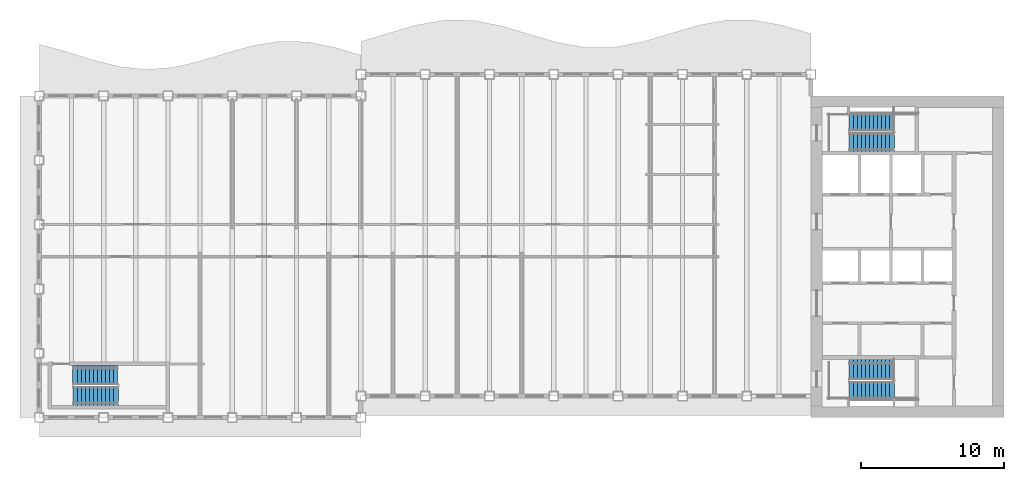
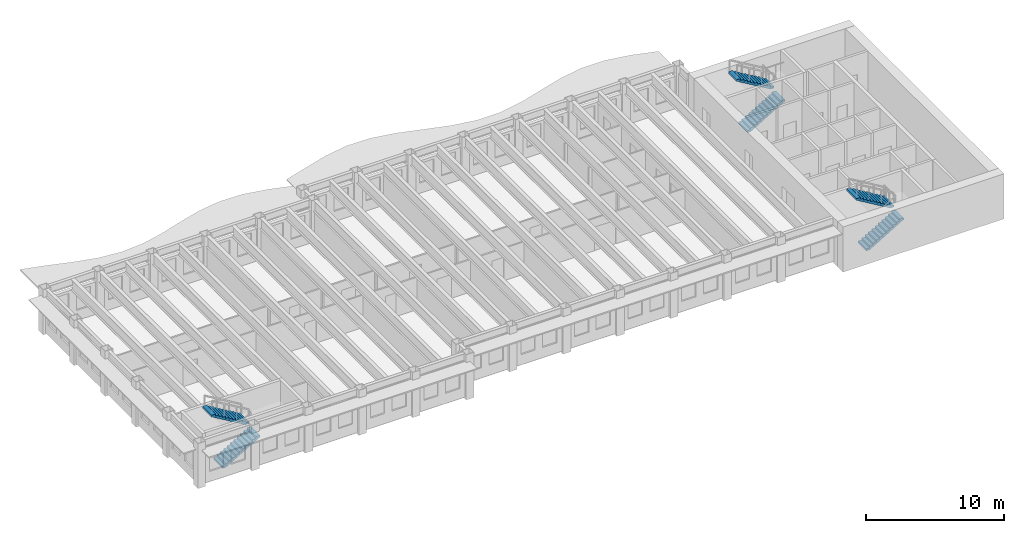
# One storey, part 7 of 12: 6 stair flights, 3 elements without a shape of their own.
"""IFC4 building model written with IfcOpenShell, lengths in metres."""

import ifcopenshell
import ifcopenshell.guid

model = None  # the IFC model being written
_history = None  # IfcOwnerHistory: only IFC2X3 demands one
_inside = {}  # id of a spatial element -> (the spatial element, [elements in it])
_under = {}  # id of a project, library or spatial element -> (it, [spatial elements below it])
_declared = {}  # id of a project -> (the project, [libraries it declares])
_typed = {}  # id of a type object -> (the type object, [elements of that type])
_made_of = {}  # id of a material, layer set ... -> (it, [elements and type objects made of it])


def new_model(schema):
    """Start an empty IFC model of exactly this schema.

    Asked for "IFC4X3", IfcOpenShell would pick the latest addendum, in which some entities
    have other attributes; the version numbers below select the first issue.
    IFC2X3 requires an IfcOwnerHistory on every rooted entity: one is made here for all.
    """
    global model, _history
    if schema == "IFC4X3":
        model = ifcopenshell.file(schema_version=(4, 3, 0, 0))
    else:
        model = ifcopenshell.file(schema=schema)
    _inside.clear()
    _under.clear()
    _declared.clear()
    _typed.clear()
    _made_of.clear()
    _history = None
    if model.schema == "IFC2X3":
        org = make("IfcOrganization", Name="unknown")
        user = make(
            "IfcPersonAndOrganization",
            ThePerson=make("IfcPerson", FamilyName="unknown"),
            TheOrganization=org,
        )
        app = make(
            "IfcApplication",
            ApplicationDeveloper=org,
            Version="unknown",
            ApplicationFullName="unknown",
            ApplicationIdentifier="unknown",
        )
        _history = make(
            "IfcOwnerHistory",
            OwningUser=user,
            OwningApplication=app,
            ChangeAction="ADDED",
            CreationDate=0,
        )
    return model


def make(cls, **values):
    """One entity of the class cls with the attributes given. An attribute that is None is left unset."""
    return model.create_entity(
        cls, **{name: value for name, value in values.items() if value is not None}
    )


def rooted(cls, **values):
    """An entity with a GlobalId (a new one), such as an element, a storey or a relation."""
    return make(cls, GlobalId=ifcopenshell.guid.new(), OwnerHistory=_history, **values)


def si_unit(unit_type, name, prefix=None):
    """IfcSIUnit, for example si_unit("LENGTHUNIT", "METRE", prefix="MILLI")."""
    return make("IfcSIUnit", UnitType=unit_type, Prefix=prefix, Name=name)


def assignment(units):
    """IfcUnitAssignment: the units of a project."""
    return None if units is None else make("IfcUnitAssignment", Units=units)


def point(xyz):
    """IfcCartesianPoint."""
    return None if xyz is None else make("IfcCartesianPoint", Coordinates=xyz)


def direction(xyz):
    """IfcDirection."""
    return None if xyz is None else make("IfcDirection", DirectionRatios=xyz)


def frame(location, z_axis=None, x_axis=None):
    """IfcAxis2Placement3D, a coordinate frame: its origin and axes. An axis left out is left unset."""
    return make(
        "IfcAxis2Placement3D",
        Location=point(location),
        Axis=direction(z_axis),
        RefDirection=direction(x_axis),
    )


def origin():
    """The frame at (0, 0, 0) with its axes left unset."""
    return frame((0.0, 0.0, 0.0))


def place(relative_to, where):
    """IfcLocalPlacement: puts the frame where relative to a parent placement (None: the world)."""
    return make(
        "IfcLocalPlacement", PlacementRelTo=relative_to, RelativePlacement=where
    )


def context(
    kind, dimensions, precision=None, world=None, true_north=None, identifier=None
):
    """IfcGeometricRepresentationContext, for example the 3D "Model" context."""
    return make(
        "IfcGeometricRepresentationContext",
        ContextIdentifier=identifier,
        ContextType=kind,
        CoordinateSpaceDimension=dimensions,
        Precision=precision,
        WorldCoordinateSystem=world,
        TrueNorth=true_north,
    )


def subcontext(parent, identifier, kind, view, scale=None):
    """IfcGeometricRepresentationSubContext, for example "Body" below "Model"."""
    return make(
        "IfcGeometricRepresentationSubContext",
        ContextIdentifier=identifier,
        ContextType=kind,
        ParentContext=parent,
        TargetScale=scale,
        TargetView=view,
    )


def project(units=None, contexts=None):
    """IfcProject with its units and contexts."""
    return rooted(
        "IfcProject",
        Name="project",
        RepresentationContexts=contexts,
        UnitsInContext=assignment(units),
    )


def spatial(cls, under=None, at=None, **own):
    """A site, building, storey or space (cls), placed at a placement, below another one or the project."""
    s = rooted(cls, ObjectPlacement=at, **own)
    if under is not None:
        _under.setdefault(under.id(), (under, []))[1].append(s)
    return s


def polyline(points):
    """IfcPolyline through the points."""
    return make("IfcPolyline", Points=[point(p) for p in points])


def outline(outer, holes=None, kind="AREA"):
    """IfcArbitraryClosedProfileDef: a profile drawn as a closed curve; with holes, ...WithVoids."""
    if holes is None:
        return make("IfcArbitraryClosedProfileDef", ProfileType=kind, OuterCurve=outer)
    return make(
        "IfcArbitraryProfileDefWithVoids",
        ProfileType=kind,
        OuterCurve=outer,
        InnerCurves=holes,
    )


def extrude(swept, where, along, depth):
    """IfcExtrudedAreaSolid: the profile swept, set in the frame where, extruded along a direction by depth."""
    return make(
        "IfcExtrudedAreaSolid",
        SweptArea=swept,
        Position=where,
        ExtrudedDirection=direction(along),
        Depth=depth,
    )


def shape(context_of_items, identifier, shape_type, items):
    """IfcShapeRepresentation: the items that make up one representation, for example the "Body"."""
    return make(
        "IfcShapeRepresentation",
        ContextOfItems=context_of_items,
        RepresentationIdentifier=identifier,
        RepresentationType=shape_type,
        Items=items,
    )


def material(Name=None, Category=None):
    """IfcMaterial."""
    return make("IfcMaterial", Name=Name, Category=Category)


def made_of(thing, what):
    """Note that an element or type object is made of a material, layer set ...; save() writes the relation."""
    if what is not None:
        _made_of.setdefault(what.id(), (what, []))[1].append(thing)
    return thing


def type_object(cls, material=None, **own):
    """A type object (cls), such as IfcWallType, which elements share."""
    return made_of(rooted(cls, **own), material)


def element(
    cls,
    number,
    at=None,
    inside=None,
    cuts=None,
    type_object=None,
    material=None,
    context=None,
    identifier="Body",
    shape_type=None,
    held_by="IfcProductDefinitionShape",
    body=None,
    shapes=None,
    **own,
):
    """One element of the class cls, such as IfcWall. Its Tag is "e" and its number.

    at: its placement. inside: the storey or other place that contains it. cuts: it is an
    opening in that element (IfcRelVoidsElement). A single representation is given by context,
    identifier, shape_type and body (its items); several are given by shapes. held_by: the class
    of the entity that holds the representations. save() writes the other relations.
    """
    e = rooted(cls, Tag="e%d" % number, ObjectPlacement=at, **own)
    if body is not None:
        shapes = [shape(context, identifier, shape_type, body)]
    if shapes is not None:
        e.Representation = make(held_by, Representations=shapes)
    if inside is not None:
        _inside.setdefault(inside.id(), (inside, []))[1].append(e)
    if cuts is not None:
        rooted(
            "IfcRelVoidsElement", RelatingBuildingElement=cuts, RelatedOpeningElement=e
        )
    if type_object is not None:
        _typed.setdefault(type_object.id(), (type_object, []))[1].append(e)
    return made_of(e, material)


def aggregate(whole, parts):
    """IfcRelAggregates: a whole, such as a stair, and the parts it consists of."""
    return rooted("IfcRelAggregates", RelatingObject=whole, RelatedObjects=parts)


def save(model, path):
    """Write the relations noted so far, then the file.

    IfcRelAggregates (storeys below a building ...), IfcRelContainedInSpatialStructure (elements
    in a storey), IfcRelDefinesByType, IfcRelAssociatesMaterial and IfcRelDeclares: one each for
    every whole, place, type object, material and project.
    """
    for whole, parts in _under.values():
        aggregate(whole, parts)
    for where, things in _inside.values():
        rooted(
            "IfcRelContainedInSpatialStructure",
            RelatedElements=things,
            RelatingStructure=where,
        )
    for kind, things in _typed.values():
        rooted("IfcRelDefinesByType", RelatedObjects=things, RelatingType=kind)
    for what, things in _made_of.values():
        rooted("IfcRelAssociatesMaterial", RelatedObjects=things, RelatingMaterial=what)
    for by, libraries in _declared.values():
        rooted("IfcRelDeclares", RelatingContext=by, RelatedDefinitions=libraries)
    model.write(path)


model = new_model("IFC4")

# Units and contexts
model_context = context("Model", 3, precision=1e-05, world=origin(), true_north=direction((0.0, 1.0)))
body_context = subcontext(model_context, "Body", "Model", "MODEL_VIEW")
ifc_project = project(units=[si_unit("LENGTHUNIT", "METRE"), si_unit("AREAUNIT", "SQUARE_METRE"), si_unit("VOLUMEUNIT", "CUBIC_METRE"), si_unit("PLANEANGLEUNIT", "RADIAN"), si_unit("MASSUNIT", "GRAM", prefix="KILO")], contexts=[model_context])

# Site, building, storey
site_placement = place(None, origin())
site = spatial("IfcSite", under=ifc_project, at=site_placement, CompositionType="ELEMENT")
building_placement = place(site_placement, origin())
building = spatial("IfcBuilding", under=site, at=building_placement, Name="Sennacour Bend Tower", CompositionType="ELEMENT")
storey_placement = place(building_placement, frame((0.0, 0.0, 261.0)))
storey = spatial("IfcBuildingStorey", under=building, at=storey_placement, Name="L60", CompositionType="ELEMENT", Elevation=261.0)

# Stair, stair flights
ifc_material = material(Name="Concrete C40/50", Category="concrete")
stair_type = type_object("IfcStairType", Name="ST-DOGLEG", PredefinedType="HALF_TURN_STAIR", material=ifc_material)
stair_1_placement = place(storey_placement, origin())
stair_1 = element("IfcStair", 1, at=stair_1_placement, inside=storey, type_object=stair_type, Name="L60 Exit stair A1", PredefinedType="HALF_TURN_STAIR")
stair_flight_type = type_object("IfcStairFlightType", Name="SFL-RC", PredefinedType="STRAIGHT", material=ifc_material)
stair_flight_1_placement = place(storey_placement, frame((56.699951171875, 1.89990234375, 0.0), z_axis=(0.0, 0.0, 1.0), x_axis=(1.0, 0.0, 0.0)))
stair_flight_1 = element("IfcStairFlight", 2, at=stair_flight_1_placement, type_object=stair_flight_type, Name="SA1 flight 1", NumberOfRisers=12, NumberOfTreads=11, PredefinedType="STRAIGHT", RiserHeight=0.166666667, TreadLength=0.28, context=body_context, shape_type="SweptSolid", body=[
    extrude(outline(polyline([(0.0, 0.0), (0.0, 0.166748046875), (0.280029296875, 0.166748046875), (0.280029296875, 0.333251953125), (0.56005859375, 0.333251953125), (0.56005859375, 0.5), (0.840087890625, 0.5), (0.840087890625, 0.666748046875), (1.1201171875, 0.666748046875), (1.1201171875, 0.833251953125), (1.39990234375, 0.833251953125), (1.39990234375, 1.0), (1.679931640625, 1.0), (1.679931640625, 1.166748046875), (1.9599609375, 1.166748046875), (1.9599609375, 1.333251953125), (2.239990234375, 1.333251953125), (2.239990234375, 1.5), (2.52001953125, 1.5), (2.52001953125, 1.666748046875), (2.800048828125, 1.666748046875), (2.800048828125, 1.833251953125), (3.080078125, 1.833251953125), (3.139892578125, 1.833251953125), (3.139892578125, 1.658935546875), (3.080078125, 1.658935546875), (0.29296875, 0.0), (0.0, 0.0)])), frame((0.0, 0.60009765625, 0.0), z_axis=(0.0, -1.0, 0.0), x_axis=(1.0, 0.0, 0.0)), (0.0, 0.0, 1.0), 1.199951171875),
])
stair_flight_2_placement = place(storey_placement, frame((59.780029296875, 3.37744140625, 2.0), z_axis=(0.0, 0.0, 1.0), x_axis=(-1.0, 0.0, 0.0)))
stair_flight_2 = element("IfcStairFlight", 3, at=stair_flight_2_placement, type_object=stair_flight_type, Name="SA1 flight 2", NumberOfRisers=12, NumberOfTreads=11, PredefinedType="STRAIGHT", RiserHeight=0.166666667, TreadLength=0.28, context=body_context, shape_type="SweptSolid", body=[
    extrude(outline(polyline([(0.0, 0.0), (0.0, 0.166748046875), (0.280029296875, 0.166748046875), (0.280029296875, 0.333251953125), (0.56005859375, 0.333251953125), (0.56005859375, 0.5), (0.840087890625, 0.5), (0.840087890625, 0.666748046875), (1.1201171875, 0.666748046875), (1.1201171875, 0.833251953125), (1.39990234375, 0.833251953125), (1.39990234375, 1.0), (1.679931640625, 1.0), (1.679931640625, 1.166748046875), (1.9599609375, 1.166748046875), (1.9599609375, 1.333251953125), (2.239990234375, 1.333251953125), (2.239990234375, 1.5), (2.52001953125, 1.5), (2.52001953125, 1.666748046875), (2.800048828125, 1.666748046875), (2.800048828125, 1.833251953125), (3.080078125, 1.833251953125), (3.139892578125, 1.833251953125), (3.139892578125, 1.658935546875), (3.080078125, 1.658935546875), (0.29296875, 0.0), (0.0, 0.0)])), frame((0.0, 0.7275390625, 0.0), z_axis=(0.0, -1.0, 0.0), x_axis=(1.0, 0.0, 0.0)), (0.0, 0.0, 1.0), 1.455078125),
])
aggregate(stair_1, [stair_flight_1, stair_flight_2])

stair_2_placement = place(storey_placement, origin())
stair_2 = element("IfcStair", 4, at=stair_2_placement, inside=storey, type_object=stair_type, Name="L60 Exit stair A2", PredefinedType="HALF_TURN_STAIR")
stair_flight_3_placement = place(storey_placement, frame((56.699951171875, 19.24755859375, 0.0), z_axis=(0.0, 0.0, 1.0), x_axis=(1.0, 0.0, 0.0)))
stair_flight_3 = element("IfcStairFlight", 5, at=stair_flight_3_placement, type_object=stair_flight_type, Name="SA2 flight 1", NumberOfRisers=12, NumberOfTreads=11, PredefinedType="STRAIGHT", RiserHeight=0.166666667, TreadLength=0.28, context=body_context, shape_type="SweptSolid", body=[
    extrude(outline(polyline([(0.0, 0.0), (0.0, 0.166748046875), (0.280029296875, 0.166748046875), (0.280029296875, 0.333251953125), (0.56005859375, 0.333251953125), (0.56005859375, 0.5), (0.840087890625, 0.5), (0.840087890625, 0.666748046875), (1.1201171875, 0.666748046875), (1.1201171875, 0.833251953125), (1.39990234375, 0.833251953125), (1.39990234375, 1.0), (1.679931640625, 1.0), (1.679931640625, 1.166748046875), (1.9599609375, 1.166748046875), (1.9599609375, 1.333251953125), (2.239990234375, 1.333251953125), (2.239990234375, 1.5), (2.52001953125, 1.5), (2.52001953125, 1.666748046875), (2.800048828125, 1.666748046875), (2.800048828125, 1.833251953125), (3.080078125, 1.833251953125), (3.139892578125, 1.833251953125), (3.139892578125, 1.658935546875), (3.080078125, 1.658935546875), (0.29296875, 0.0), (0.0, 0.0)])), frame((0.0, 0.65234375, 0.0), z_axis=(0.0, -1.0, 0.0), x_axis=(1.0, 0.0, 0.0)), (0.0, 0.0, 1.0), 1.304931640625),
])
stair_flight_4_placement = place(storey_placement, frame((59.780029296875, 20.64990234375, 2.0), z_axis=(0.0, 0.0, 1.0), x_axis=(-1.0, 0.0, 0.0)))
stair_flight_4 = element("IfcStairFlight", 6, at=stair_flight_4_placement, type_object=stair_flight_type, Name="SA2 flight 2", NumberOfRisers=12, NumberOfTreads=11, PredefinedType="STRAIGHT", RiserHeight=0.166666667, TreadLength=0.28, context=body_context, shape_type="SweptSolid", body=[
    extrude(outline(polyline([(0.0, 0.0), (0.0, 0.166748046875), (0.280029296875, 0.166748046875), (0.280029296875, 0.333251953125), (0.56005859375, 0.333251953125), (0.56005859375, 0.5), (0.840087890625, 0.5), (0.840087890625, 0.666748046875), (1.1201171875, 0.666748046875), (1.1201171875, 0.833251953125), (1.39990234375, 0.833251953125), (1.39990234375, 1.0), (1.679931640625, 1.0), (1.679931640625, 1.166748046875), (1.9599609375, 1.166748046875), (1.9599609375, 1.333251953125), (2.239990234375, 1.333251953125), (2.239990234375, 1.5), (2.52001953125, 1.5), (2.52001953125, 1.666748046875), (2.800048828125, 1.666748046875), (2.800048828125, 1.833251953125), (3.080078125, 1.833251953125), (3.139892578125, 1.833251953125), (3.139892578125, 1.658935546875), (3.080078125, 1.658935546875), (0.29296875, 0.0), (0.0, 0.0)])), frame((0.0, 0.60009765625, 0.0), z_axis=(0.0, -1.0, 0.0), x_axis=(1.0, 0.0, 0.0)), (0.0, 0.0, 1.0), 1.199951171875),
])
aggregate(stair_2, [stair_flight_3, stair_flight_4])

stair_3_placement = place(storey_placement, origin())
stair_3 = element("IfcStair", 7, at=stair_3_placement, inside=storey, type_object=stair_type, Name="L60 Exit stair K1", PredefinedType="HALF_TURN_STAIR")
stair_flight_5_placement = place(storey_placement, frame((2.39990234375, 1.485107421875, 0.0), z_axis=(0.0, 0.0, 1.0), x_axis=(1.0, 0.0, 0.0)))
stair_flight_5 = element("IfcStairFlight", 8, at=stair_flight_5_placement, type_object=stair_flight_type, Name="SK1 flight 1", NumberOfRisers=12, NumberOfTreads=11, PredefinedType="STRAIGHT", RiserHeight=0.166666667, TreadLength=0.28, context=body_context, shape_type="SweptSolid", body=[
    extrude(outline(polyline([(0.0, 0.0), (0.0, 0.166748046875), (0.280029296875, 0.166748046875), (0.280029296875, 0.333251953125), (0.56005859375, 0.333251953125), (0.56005859375, 0.5), (0.840087890625, 0.5), (0.840087890625, 0.666748046875), (1.1201171875, 0.666748046875), (1.1201171875, 0.833251953125), (1.39990234375, 0.833251953125), (1.39990234375, 1.0), (1.679931640625, 1.0), (1.679931640625, 1.166748046875), (1.9599609375, 1.166748046875), (1.9599609375, 1.333251953125), (2.239990234375, 1.333251953125), (2.239990234375, 1.5), (2.52001953125, 1.5), (2.52001953125, 1.666748046875), (2.800048828125, 1.666748046875), (2.800048828125, 1.833251953125), (3.080078125, 1.833251953125), (3.139892578125, 1.833251953125), (3.139892578125, 1.658935546875), (3.080078125, 1.658935546875), (0.29296875, 0.0), (0.0, 0.0)])), frame((0.0, 0.6650390625, 0.0), z_axis=(0.0, -1.0, 0.0), x_axis=(1.0, 0.0, 0.0)), (0.0, 0.0, 1.0), 1.330078125),
])
stair_flight_6_placement = place(storey_placement, frame((5.47998046875, 2.9775390625, 2.0), z_axis=(0.0, 0.0, 1.0), x_axis=(-1.0, 0.0, 0.0)))
stair_flight_6 = element("IfcStairFlight", 9, at=stair_flight_6_placement, type_object=stair_flight_type, Name="SK1 flight 2", NumberOfRisers=12, NumberOfTreads=11, PredefinedType="STRAIGHT", RiserHeight=0.166666667, TreadLength=0.28, context=body_context, shape_type="SweptSolid", body=[
    extrude(outline(polyline([(0.0, 0.0), (0.0, 0.166748046875), (0.280029296875, 0.166748046875), (0.280029296875, 0.333251953125), (0.56005859375, 0.333251953125), (0.56005859375, 0.5), (0.840087890625, 0.5), (0.840087890625, 0.666748046875), (1.1201171875, 0.666748046875), (1.1201171875, 0.833251953125), (1.39990234375, 0.833251953125), (1.39990234375, 1.0), (1.679931640625, 1.0), (1.679931640625, 1.166748046875), (1.9599609375, 1.166748046875), (1.9599609375, 1.333251953125), (2.239990234375, 1.333251953125), (2.239990234375, 1.5), (2.52001953125, 1.5), (2.52001953125, 1.666748046875), (2.800048828125, 1.666748046875), (2.800048828125, 1.833251953125), (3.080078125, 1.833251953125), (3.139892578125, 1.833251953125), (3.139892578125, 1.658935546875), (3.080078125, 1.658935546875), (0.29296875, 0.0), (0.0, 0.0)])), frame((0.0, 0.677490234375, 0.0), z_axis=(0.0, -1.0, 0.0), x_axis=(1.0, 0.0, 0.0)), (0.0, 0.0, 1.0), 1.35498046875),
])
aggregate(stair_3, [stair_flight_5, stair_flight_6])

save(model, "model.ifc")
